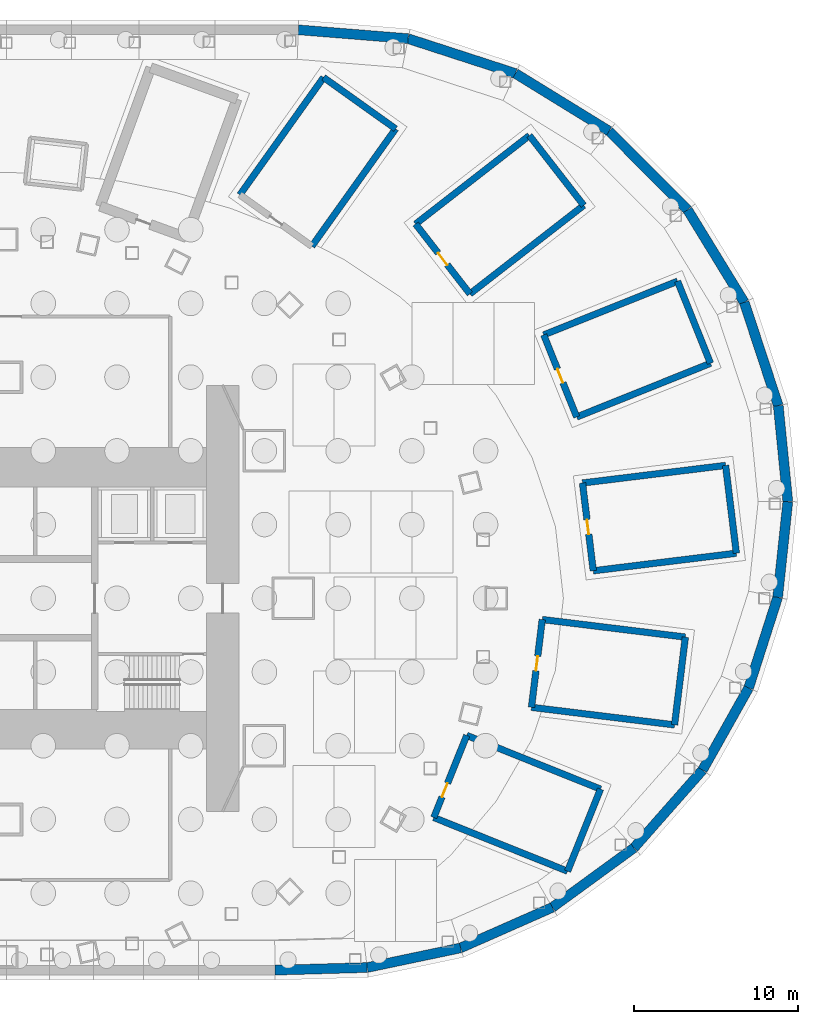
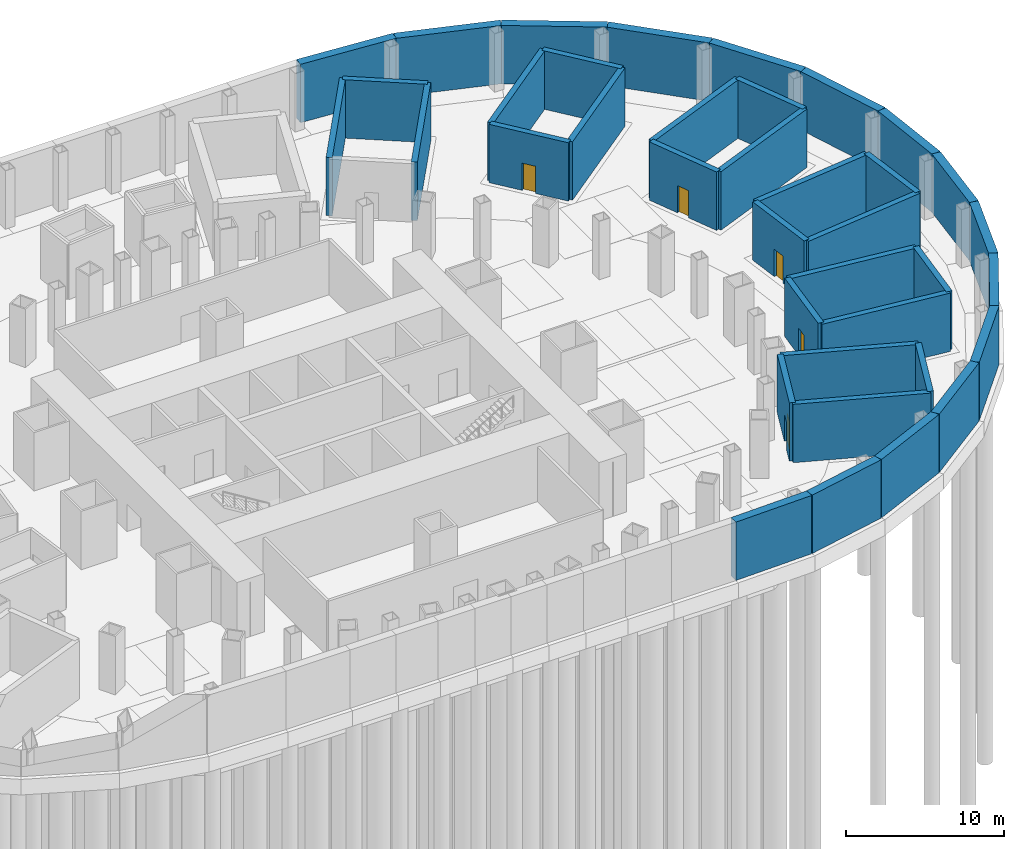
# One storey, part 7 of 11: 38 walls, 5 doors, 5 openings.
"""IFC4 building model written with IfcOpenShell, lengths in metres."""

from ifc_helpers import new_model, si_unit, direction, frame, frame_2d, origin, place, context, subcontext, project, spatial, rectangle, extrude, material, layer, layer_set, type_object, element, fill, save


model = new_model("IFC4")

# Units and contexts
model_context = context("Model", 3, precision=1e-05, world=origin(), true_north=direction((0.0, 1.0)))
body_context = subcontext(model_context, "Body", "Model", "MODEL_VIEW")
ifc_project = project(units=[si_unit("LENGTHUNIT", "METRE"), si_unit("AREAUNIT", "SQUARE_METRE"), si_unit("VOLUMEUNIT", "CUBIC_METRE"), si_unit("PLANEANGLEUNIT", "RADIAN"), si_unit("MASSUNIT", "GRAM", prefix="KILO")], contexts=[model_context])

# Site, building, storey
site_placement = place(None, origin())
site = spatial("IfcSite", under=ifc_project, at=site_placement, CompositionType="ELEMENT")
building_placement = place(site_placement, origin())
building = spatial("IfcBuilding", under=site, at=building_placement, Name="Lantaw Convention Tower", CompositionType="ELEMENT")
storey_placement = place(building_placement, frame((0.0, 0.0, -10.0)))
storey = spatial("IfcBuildingStorey", under=building, at=storey_placement, Name="B2", CompositionType="ELEMENT", Elevation=-10.0)

# Walls
ifc_material_1 = material(Name="Concrete C40/50", Category="concrete")
ifc_layer_1 = layer(ifc_material_1, 0.60009765625)
ifc_layer_set_1 = layer_set([ifc_layer_1], Name="Basement wall 600")
wall_type_1 = type_object("IfcWallType", Name="Basement wall 600", PredefinedType="SOLIDWALL", material=ifc_layer_set_1)
wall_1_placement = place(storey_placement, frame((47.077392578125, 0.062255859375, 0.0), z_axis=(0.0, 0.0, 1.0), x_axis=(0.105848228596, 0.994382296958, 0.0)))
element("IfcWall", 1, at=wall_1_placement, inside=storey, type_object=wall_type_1, Name="Basement retaining wall 1", PredefinedType="SOLIDWALL", context=body_context, shape_type="SweptSolid", body=[
    extrude(rectangle(XDim=5.865478515625, YDim=0.60009765625, at=frame_2d((2.9326171875, 0.0))), origin(), (0.0, 0.0, 1.0), 4.5),
])
wall_2_placement = place(storey_placement, frame((47.6982421875, 5.894775390625, 0.0), z_axis=(0.0, 0.0, 1.0), x_axis=(-0.099068856923, 0.99508058045, 0.0)))
element("IfcWall", 2, at=wall_2_placement, inside=storey, type_object=wall_type_1, Name="Basement retaining wall 2", PredefinedType="SOLIDWALL", context=body_context, shape_type="SweptSolid", body=[
    extrude(rectangle(XDim=5.892333984375, YDim=0.60009765625, at=frame_2d((2.9462890625, 0.0))), origin(), (0.0, 0.0, 1.0), 4.5),
])
wall_3_placement = place(storey_placement, frame((47.114501953125, 11.758056640625, 0.0), z_axis=(0.0, 0.0, 1.0), x_axis=(-0.312606584294, 0.949882689313, 0.0)))
element("IfcWall", 3, at=wall_3_placement, inside=storey, type_object=wall_type_1, Name="Basement retaining wall 3", PredefinedType="SOLIDWALL", context=body_context, shape_type="SweptSolid", body=[
    extrude(rectangle(XDim=6.638427734375, YDim=0.60009765625, at=frame_2d((3.3193359375, 0.0))), origin(), (0.0, 0.0, 1.0), 4.5),
])
wall_4_placement = place(storey_placement, frame((45.039306640625, 18.063720703125, 0.0), z_axis=(0.0, 0.0, 1.0), x_axis=(-0.522223921517, 0.852808405092, 0.0)))
element("IfcWall", 4, at=wall_4_placement, inside=storey, type_object=wall_type_1, Name="Basement retaining wall 4", PredefinedType="SOLIDWALL", context=body_context, shape_type="SweptSolid", body=[
    extrude(rectangle(XDim=6.620849609375, YDim=0.60009765625, at=frame_2d((3.310546875, 0.0))), origin(), (0.0, 0.0, 1.0), 4.5),
])
wall_5_placement = place(storey_placement, frame((41.581787109375, 23.7099609375, 0.0), z_axis=(0.0, 0.0, 1.0), x_axis=(-0.705901268363, 0.708310242283, 0.0)))
element("IfcWall", 5, at=wall_5_placement, inside=storey, type_object=wall_type_1, Name="Basement retaining wall 5", PredefinedType="SOLIDWALL", context=body_context, shape_type="SweptSolid", body=[
    extrude(rectangle(XDim=6.790283203125, YDim=0.60009765625, at=frame_2d((3.39501953125, 0.0))), origin(), (0.0, 0.0, 1.0), 4.5),
])
wall_6_placement = place(storey_placement, frame((36.78857421875, 28.51953125, 0.0), z_axis=(0.0, 0.0, 1.0), x_axis=(-0.851796965753, 0.523872054165, 0.0)))
element("IfcWall", 6, at=wall_6_placement, inside=storey, type_object=wall_type_1, Name="Basement retaining wall 6", PredefinedType="SOLIDWALL", context=body_context, shape_type="SweptSolid", body=[
    extrude(rectangle(XDim=6.70947265625, YDim=0.60009765625, at=frame_2d((3.354736328125, 0.0))), origin(), (0.0, 0.0, 1.0), 4.5),
])
wall_7_placement = place(storey_placement, frame((31.073486328125, 32.034423828125, 0.0), z_axis=(0.0, 0.0, 1.0), x_axis=(-0.951130883604, 0.308788021554, 0.0)))
element("IfcWall", 7, at=wall_7_placement, inside=storey, type_object=wall_type_1, Name="Basement retaining wall 7", PredefinedType="SOLIDWALL", context=body_context, shape_type="SweptSolid", body=[
    extrude(rectangle(XDim=6.890380859375, YDim=0.60009765625, at=frame_2d((3.4453125, 0.0))), origin(), (0.0, 0.0, 1.0), 4.5),
])
wall_8_placement = place(storey_placement, frame((24.519775390625, 34.162109375, 0.0), z_axis=(0.0, 0.0, 1.0), x_axis=(-0.996792017292, 0.080035456285, 0.0)))
element("IfcWall", 8, at=wall_8_placement, inside=storey, type_object=wall_type_1, Name="Basement retaining wall 8", PredefinedType="SOLIDWALL", context=body_context, shape_type="SweptSolid", body=[
    extrude(rectangle(XDim=6.719970703125, YDim=0.60009765625, at=frame_2d((3.35986328125, 0.0))), origin(), (0.0, 0.0, 1.0), 4.5),
])
wall_9_placement = place(storey_placement, frame((16.4013671875, -22.699951171875, 0.0), z_axis=(0.0, 0.0, 1.0), x_axis=(0.999592688558, 0.028538692699, 0.0)))
element("IfcWall", 9, at=wall_9_placement, inside=storey, type_object=wall_type_1, Name="Basement retaining wall 42", PredefinedType="SOLIDWALL", context=body_context, shape_type="SweptSolid", body=[
    extrude(rectangle(XDim=5.620361328125, YDim=0.60009765625, at=frame_2d((2.81005859375, 0.0))), origin(), (0.0, 0.0, 1.0), 4.5),
])
wall_10_placement = place(storey_placement, frame((22.01953125, -22.53955078125, 0.0), z_axis=(0.0, 0.0, 1.0), x_axis=(0.978621781645, 0.205668199998, 0.0)))
element("IfcWall", 10, at=wall_10_placement, inside=storey, type_object=wall_type_1, Name="Basement retaining wall 43", PredefinedType="SOLIDWALL", context=body_context, shape_type="SweptSolid", body=[
    extrude(rectangle(XDim=5.82373046875, YDim=0.60009765625, at=frame_2d((2.911865234375, 0.0))), origin(), (0.0, 0.0, 1.0), 4.5),
])
wall_11_placement = place(storey_placement, frame((27.71875, -21.341796875, 0.0), z_axis=(0.0, 0.0, 1.0), x_axis=(0.914848548113, 0.403797144636, 0.0)))
element("IfcWall", 11, at=wall_11_placement, inside=storey, type_object=wall_type_1, Name="Basement retaining wall 44", PredefinedType="SOLIDWALL", context=body_context, shape_type="SweptSolid", body=[
    extrude(rectangle(XDim=6.127685546875, YDim=0.60009765625, at=frame_2d((3.06396484375, 0.0))), origin(), (0.0, 0.0, 1.0), 4.5),
])
wall_12_placement = place(storey_placement, frame((33.32470703125, -18.867431640625, 0.0), z_axis=(0.0, 0.0, 1.0), x_axis=(0.807914805436, 0.589299301847, 0.0)))
element("IfcWall", 12, at=wall_12_placement, inside=storey, type_object=wall_type_1, Name="Basement retaining wall 45", PredefinedType="SOLIDWALL", context=body_context, shape_type="SweptSolid", body=[
    extrude(rectangle(XDim=6.163330078125, YDim=0.60009765625, at=frame_2d((3.08154296875, 0.0))), origin(), (0.0, 0.0, 1.0), 4.5),
])
wall_13_placement = place(storey_placement, frame((38.30419921875, -15.2353515625, 0.0), z_axis=(0.0, 0.0, 1.0), x_axis=(0.661181871868, 0.750225654262, 0.0)))
element("IfcWall", 13, at=wall_13_placement, inside=storey, type_object=wall_type_1, Name="Basement retaining wall 46", PredefinedType="SOLIDWALL", context=body_context, shape_type="SweptSolid", body=[
    extrude(rectangle(XDim=6.33642578125, YDim=0.60009765625, at=frame_2d((3.168212890625, 0.0))), origin(), (0.0, 0.0, 1.0), 4.5),
])
wall_14_placement = place(storey_placement, frame((42.49365234375, -10.481689453125, 0.0), z_axis=(0.0, 0.0, 1.0), x_axis=(0.489552343526, 0.871973911851, 0.0)))
element("IfcWall", 14, at=wall_14_placement, inside=storey, type_object=wall_type_1, Name="Basement retaining wall 47", PredefinedType="SOLIDWALL", context=body_context, shape_type="SweptSolid", body=[
    extrude(rectangle(XDim=5.740478515625, YDim=0.60009765625, at=frame_2d((2.8701171875, 0.0))), origin(), (0.0, 0.0, 1.0), 4.5),
])
wall_15_placement = place(storey_placement, frame((45.303955078125, -5.47607421875, 0.0), z_axis=(0.0, 0.0, 1.0), x_axis=(0.304958517607, 0.9523656349, 0.0)))
element("IfcWall", 15, at=wall_15_placement, inside=storey, type_object=wall_type_1, Name="Basement retaining wall 48", PredefinedType="SOLIDWALL", context=body_context, shape_type="SweptSolid", body=[
    extrude(rectangle(XDim=5.8154296875, YDim=0.60009765625, at=frame_2d((2.90771484375, 0.0))), origin(), (0.0, 0.0, 1.0), 4.5),
])
ifc_material_2 = material(Name="Concrete C40/50, stair core", Category="concrete")
ifc_layer_2 = layer(ifc_material_2, 0.39990234375)
ifc_layer_set_2 = layer_set([ifc_layer_2], Name="Stair core wall 400 EI 120")
wall_type_2 = type_object("IfcWallType", Name="Stair core wall 400 EI 120", PredefinedType="SHEAR", material=ifc_layer_set_2)
wall_16_placement = place(storey_placement, frame((35.82275390625, 1.67822265625, 0.0), z_axis=(0.0, 0.0, 1.0), x_axis=(0.992545280606, 0.121876437212, 0.0)))
element("IfcWall", 16, at=wall_16_placement, inside=storey, type_object=wall_type_2, Name="Stair core wall 400", PredefinedType="SHEAR", context=body_context, shape_type="SweptSolid", body=[
    extrude(rectangle(XDim=8.800048828125, YDim=0.39990234375, at=frame_2d((4.39990234375, 0.0))), origin(), (0.0, 0.0, 1.0), 4.5),
])
wall_17_placement = place(storey_placement, frame((44.55712890625, 2.750732421875, 0.0), z_axis=(0.0, 0.0, 1.0), x_axis=(-0.12184754212, 0.99254882826, 0.0)))
element("IfcWall", 17, at=wall_17_placement, inside=storey, type_object=wall_type_2, Name="Stair core wall 400", PredefinedType="SHEAR", context=body_context, shape_type="SweptSolid", body=[
    extrude(rectangle(XDim=5.39990234375, YDim=0.39990234375, at=frame_2d((2.699951171875, 0.0))), origin(), (0.0, 0.0, 1.0), 4.5),
])
wall_18_placement = place(storey_placement, frame((43.899169921875, 8.1103515625, 0.0), z_axis=(0.0, 0.0, 1.0), x_axis=(-0.992545280606, -0.121876437212, 0.0)))
element("IfcWall", 18, at=wall_18_placement, inside=storey, type_object=wall_type_2, Name="Stair core wall 400", PredefinedType="SHEAR", context=body_context, shape_type="SweptSolid", body=[
    extrude(rectangle(XDim=8.800048828125, YDim=0.39990234375, at=frame_2d((4.39990234375, 0.0))), origin(), (0.0, 0.0, 1.0), 4.5),
])

# Wall, opening, door
wall_19_placement = place(storey_placement, frame((35.164794921875, 7.037841796875, 0.0), z_axis=(0.0, 0.0, 1.0), x_axis=(0.12184754212, -0.99254882826, 0.0)))
wall_19 = element("IfcWall", 19, at=wall_19_placement, inside=storey, type_object=wall_type_2, Name="Stair core wall 400", PredefinedType="SHEAR", context=body_context, shape_type="SweptSolid", body=[
    extrude(rectangle(XDim=5.39990234375, YDim=0.39990234375, at=frame_2d((2.699951171875, 0.0))), origin(), (0.0, 0.0, 1.0), 4.5),
])
opening_1_placement = place(wall_19_placement, frame((2.25, 0.0, 0.0)))
opening_1 = element("IfcOpeningElement", 20, at=opening_1_placement, cuts=wall_19, Name="Opening B2.13", PredefinedType="OPENING", context=body_context, shape_type="SweptSolid", body=[
    extrude(rectangle(XDim=0.89990234375, YDim=2.10009765625, at=frame_2d((0.449951171875, 1.050048828125))), frame((0.0, 0.2099609375, 0.0), z_axis=(0.0, -1.0, 0.0), x_axis=(1.0, 0.0, 0.0)), (0.0, 0.0, 1.0), 0.419921875),
])
ifc_material_3 = material(Name="Steel, fire rated", Category="steel")
door_type = type_object("IfcDoorType", Name="Store door 900 FD60", OperationType="SINGLE_SWING_LEFT", PredefinedType="DOOR", material=ifc_material_3)
door_1_placement = place(opening_1_placement, origin())
door_1 = element("IfcDoor", 21, at=door_1_placement, inside=storey, type_object=door_type, Name="Store door", OperationType="SINGLE_SWING_LEFT", OverallHeight=2.10009765625, OverallWidth=0.89990234375, PredefinedType="DOOR", context=body_context, shape_type="SweptSolid", body=[
    extrude(rectangle(XDim=0.89990234375, YDim=2.10009765625, at=frame_2d((0.449951171875, 1.050048828125))), frame((0.0, 0.02490234375, 0.0), z_axis=(0.0, -1.0, 0.0), x_axis=(1.0, 0.0, 0.0)), (0.0, 0.0, 1.0), 0.050048828125),
])
fill(opening_1, door_1)

# Walls
wall_20_placement = place(storey_placement, frame((34.811767578125, 11.0654296875, 0.0), z_axis=(0.0, 0.0, 1.0), x_axis=(0.92801678004, 0.372538395288, 0.0)))
element("IfcWall", 22, at=wall_20_placement, inside=storey, type_object=wall_type_2, Name="Stair core wall 400", PredefinedType="SHEAR", context=body_context, shape_type="SweptSolid", body=[
    extrude(rectangle(XDim=8.800048828125, YDim=0.39990234375, at=frame_2d((4.39990234375, 0.0))), origin(), (0.0, 0.0, 1.0), 4.5),
])
wall_21_placement = place(storey_placement, frame((42.978271484375, 14.34375, 0.0), z_axis=(0.0, 0.0, 1.0), x_axis=(-0.372544066459, 0.928014503414, 0.0)))
element("IfcWall", 23, at=wall_21_placement, inside=storey, type_object=wall_type_2, Name="Stair core wall 400", PredefinedType="SHEAR", context=body_context, shape_type="SweptSolid", body=[
    extrude(rectangle(XDim=5.39990234375, YDim=0.39990234375, at=frame_2d((2.699951171875, 0.0))), origin(), (0.0, 0.0, 1.0), 4.5),
])
wall_22_placement = place(storey_placement, frame((40.966552734375, 19.35498046875, 0.0), z_axis=(0.0, 0.0, 1.0), x_axis=(-0.92801678004, -0.372538395288, 0.0)))
element("IfcWall", 24, at=wall_22_placement, inside=storey, type_object=wall_type_2, Name="Stair core wall 400", PredefinedType="SHEAR", context=body_context, shape_type="SweptSolid", body=[
    extrude(rectangle(XDim=8.800048828125, YDim=0.39990234375, at=frame_2d((4.39990234375, 0.0))), origin(), (0.0, 0.0, 1.0), 4.5),
])

# Wall, opening, door
wall_23_placement = place(storey_placement, frame((32.800048828125, 16.07666015625, 0.0), z_axis=(0.0, 0.0, 1.0), x_axis=(0.372544066459, -0.928014503414, 0.0)))
wall_23 = element("IfcWall", 25, at=wall_23_placement, inside=storey, type_object=wall_type_2, Name="Stair core wall 400", PredefinedType="SHEAR", context=body_context, shape_type="SweptSolid", body=[
    extrude(rectangle(XDim=5.39990234375, YDim=0.39990234375, at=frame_2d((2.699951171875, 0.0))), origin(), (0.0, 0.0, 1.0), 4.5),
])
opening_2_placement = place(wall_23_placement, frame((2.25, 0.0, 0.0)))
opening_2 = element("IfcOpeningElement", 26, at=opening_2_placement, cuts=wall_23, Name="Opening B2.14", PredefinedType="OPENING", context=body_context, shape_type="SweptSolid", body=[
    extrude(rectangle(XDim=0.89990234375, YDim=2.10009765625, at=frame_2d((0.449951171875, 1.050048828125))), frame((0.0, 0.2099609375, 0.0), z_axis=(0.0, -1.0, 0.0), x_axis=(1.0, 0.0, 0.0)), (0.0, 0.0, 1.0), 0.419921875),
])
door_2_placement = place(opening_2_placement, origin())
door_2 = element("IfcDoor", 27, at=door_2_placement, inside=storey, type_object=door_type, Name="Store door", OperationType="SINGLE_SWING_LEFT", OverallHeight=2.10009765625, OverallWidth=0.89990234375, PredefinedType="DOOR", context=body_context, shape_type="SweptSolid", body=[
    extrude(rectangle(XDim=0.89990234375, YDim=2.10009765625, at=frame_2d((0.449951171875, 1.050048828125))), frame((0.0, 0.02490234375, 0.0), z_axis=(0.0, -1.0, 0.0), x_axis=(1.0, 0.0, 0.0)), (0.0, 0.0, 1.0), 0.050048828125),
])
fill(opening_2, door_2)

# Walls
wall_24_placement = place(storey_placement, frame((28.292724609375, 18.5830078125, 0.0), z_axis=(0.0, 0.0, 1.0), x_axis=(0.78938060008, 0.613904119726, 0.0)))
element("IfcWall", 28, at=wall_24_placement, inside=storey, type_object=wall_type_2, Name="Stair core wall 400", PredefinedType="SHEAR", context=body_context, shape_type="SweptSolid", body=[
    extrude(rectangle(XDim=8.800048828125, YDim=0.39990234375, at=frame_2d((4.39990234375, 0.0))), origin(), (0.0, 0.0, 1.0), 4.5),
])
wall_25_placement = place(storey_placement, frame((35.2392578125, 23.9853515625, 0.0), z_axis=(0.0, 0.0, 1.0), x_axis=(-0.613912443548, 0.789374126544, 0.0)))
element("IfcWall", 29, at=wall_25_placement, inside=storey, type_object=wall_type_2, Name="Stair core wall 400", PredefinedType="SHEAR", context=body_context, shape_type="SweptSolid", body=[
    extrude(rectangle(XDim=5.400146484375, YDim=0.39990234375, at=frame_2d((2.7001953125, 0.0))), origin(), (0.0, 0.0, 1.0), 4.5),
])
wall_26_placement = place(storey_placement, frame((31.924072265625, 28.248046875, 0.0), z_axis=(0.0, 0.0, 1.0), x_axis=(-0.78938060008, -0.613904119726, 0.0)))
element("IfcWall", 30, at=wall_26_placement, inside=storey, type_object=wall_type_2, Name="Stair core wall 400", PredefinedType="SHEAR", context=body_context, shape_type="SweptSolid", body=[
    extrude(rectangle(XDim=8.800048828125, YDim=0.39990234375, at=frame_2d((4.39990234375, 0.0))), origin(), (0.0, 0.0, 1.0), 4.5),
])

# Wall, opening, door
wall_27_placement = place(storey_placement, frame((24.9775390625, 22.845703125, 0.0), z_axis=(0.0, 0.0, 1.0), x_axis=(0.613912443548, -0.789374126544, 0.0)))
wall_27 = element("IfcWall", 31, at=wall_27_placement, inside=storey, type_object=wall_type_2, Name="Stair core wall 400", PredefinedType="SHEAR", context=body_context, shape_type="SweptSolid", body=[
    extrude(rectangle(XDim=5.400146484375, YDim=0.39990234375, at=frame_2d((2.7001953125, 0.0))), origin(), (0.0, 0.0, 1.0), 4.5),
])
opening_3_placement = place(wall_27_placement, frame((2.25, 0.0, 0.0)))
opening_3 = element("IfcOpeningElement", 32, at=opening_3_placement, cuts=wall_27, Name="Opening B2.15", PredefinedType="OPENING", context=body_context, shape_type="SweptSolid", body=[
    extrude(rectangle(XDim=0.89990234375, YDim=2.10009765625, at=frame_2d((0.449951171875, 1.050048828125))), frame((0.0, 0.2099609375, 0.0), z_axis=(0.0, -1.0, 0.0), x_axis=(1.0, 0.0, 0.0)), (0.0, 0.0, 1.0), 0.419921875),
])
door_3_placement = place(opening_3_placement, origin())
door_3 = element("IfcDoor", 33, at=door_3_placement, inside=storey, type_object=door_type, Name="Store door", OperationType="SINGLE_SWING_LEFT", OverallHeight=2.10009765625, OverallWidth=0.89990234375, PredefinedType="DOOR", context=body_context, shape_type="SweptSolid", body=[
    extrude(rectangle(XDim=0.89990234375, YDim=2.10009765625, at=frame_2d((0.449951171875, 1.050048828125))), frame((0.0, 0.02490234375, 0.0), z_axis=(0.0, -1.0, 0.0), x_axis=(1.0, 0.0, 0.0)), (0.0, 0.0, 1.0), 0.050048828125),
])
fill(opening_3, door_3)

# Walls
wall_28_placement = place(storey_placement, frame((18.647216796875, 21.492919921875, 0.0), z_axis=(0.0, 0.0, 1.0), x_axis=(0.580705313356, 0.814113836659, 0.0)))
element("IfcWall", 34, at=wall_28_placement, inside=storey, type_object=wall_type_2, Name="Stair core wall 400", PredefinedType="SHEAR", context=body_context, shape_type="SweptSolid", body=[
    extrude(rectangle(XDim=8.7998046875, YDim=0.39990234375, at=frame_2d((4.39990234375, 0.0))), origin(), (0.0, 0.0, 1.0), 4.5),
])
wall_29_placement = place(storey_placement, frame((23.75732421875, 28.656982421875, 0.0), z_axis=(0.0, 0.0, 1.0), x_axis=(-0.814121252423, 0.580694916762, 0.0)))
element("IfcWall", 35, at=wall_29_placement, inside=storey, type_object=wall_type_2, Name="Stair core wall 400", PredefinedType="SHEAR", context=body_context, shape_type="SweptSolid", body=[
    extrude(rectangle(XDim=5.39990234375, YDim=0.39990234375, at=frame_2d((2.699951171875, 0.0))), origin(), (0.0, 0.0, 1.0), 4.5),
])
wall_30_placement = place(storey_placement, frame((19.361083984375, 31.792724609375, 0.0), z_axis=(0.0, 0.0, 1.0), x_axis=(-0.580705313356, -0.814113836659, 0.0)))
element("IfcWall", 36, at=wall_30_placement, inside=storey, type_object=wall_type_2, Name="Stair core wall 400", PredefinedType="SHEAR", context=body_context, shape_type="SweptSolid", body=[
    extrude(rectangle(XDim=8.7998046875, YDim=0.39990234375, at=frame_2d((4.39990234375, 0.0))), origin(), (0.0, 0.0, 1.0), 4.5),
])
wall_31_placement = place(storey_placement, frame((26.0869140625, -13.3818359375, 0.0), z_axis=(0.0, 0.0, 1.0), x_axis=(0.92801678004, -0.372538395288, 0.0)))
element("IfcWall", 37, at=wall_31_placement, inside=storey, type_object=wall_type_2, Name="Stair core wall 400", PredefinedType="SHEAR", context=body_context, shape_type="SweptSolid", body=[
    extrude(rectangle(XDim=8.800048828125, YDim=0.39990234375, at=frame_2d((4.39990234375, 0.0))), origin(), (0.0, 0.0, 1.0), 4.5),
])
wall_32_placement = place(storey_placement, frame((34.25341796875, -16.66015625, 0.0), z_axis=(0.0, 0.0, 1.0), x_axis=(0.372544066459, 0.928014503414, 0.0)))
element("IfcWall", 38, at=wall_32_placement, inside=storey, type_object=wall_type_2, Name="Stair core wall 400", PredefinedType="SHEAR", context=body_context, shape_type="SweptSolid", body=[
    extrude(rectangle(XDim=5.39990234375, YDim=0.39990234375, at=frame_2d((2.699951171875, 0.0))), origin(), (0.0, 0.0, 1.0), 4.5),
])
wall_33_placement = place(storey_placement, frame((36.26513671875, -11.64892578125, 0.0), z_axis=(0.0, 0.0, 1.0), x_axis=(-0.928007188331, 0.372562287955, 0.0)))
element("IfcWall", 39, at=wall_33_placement, inside=storey, type_object=wall_type_2, Name="Stair core wall 400", PredefinedType="SHEAR", context=body_context, shape_type="SweptSolid", body=[
    extrude(rectangle(XDim=8.800048828125, YDim=0.39990234375, at=frame_2d((4.39990234375, 0.0))), origin(), (0.0, 0.0, 1.0), 4.5),
])

# Wall, opening, door
wall_34_placement = place(storey_placement, frame((28.0986328125, -8.370361328125, 0.0), z_axis=(0.0, 0.0, 1.0), x_axis=(-0.372528436202, -0.928020777904, 0.0)))
wall_34 = element("IfcWall", 40, at=wall_34_placement, inside=storey, type_object=wall_type_2, Name="Stair core wall 400", PredefinedType="SHEAR", context=body_context, shape_type="SweptSolid", body=[
    extrude(rectangle(XDim=5.400146484375, YDim=0.39990234375, at=frame_2d((2.7001953125, 0.0))), origin(), (0.0, 0.0, 1.0), 4.5),
])
opening_4_placement = place(wall_34_placement, frame((3.14990234375, 0.0, 0.0)))
opening_4 = element("IfcOpeningElement", 41, at=opening_4_placement, cuts=wall_34, Name="Opening B2.24", PredefinedType="OPENING", context=body_context, shape_type="SweptSolid", body=[
    extrude(rectangle(XDim=0.89990234375, YDim=2.10009765625, at=frame_2d((0.449951171875, 1.050048828125))), frame((0.0, 0.2099609375, 0.0), z_axis=(0.0, -1.0, 0.0), x_axis=(1.0, 0.0, 0.0)), (0.0, 0.0, 1.0), 0.419921875),
])
door_4_placement = place(opening_4_placement, origin())
door_4 = element("IfcDoor", 42, at=door_4_placement, inside=storey, type_object=door_type, Name="Store door", OperationType="SINGLE_SWING_LEFT", OverallHeight=2.10009765625, OverallWidth=0.89990234375, PredefinedType="DOOR", context=body_context, shape_type="SweptSolid", body=[
    extrude(rectangle(XDim=0.89990234375, YDim=2.10009765625, at=frame_2d((0.449951171875, 1.050048828125))), frame((0.0, 0.02490234375, 0.0), z_axis=(0.0, -1.0, 0.0), x_axis=(1.0, 0.0, 0.0)), (0.0, 0.0, 1.0), 0.050048828125),
])
fill(opening_4, door_4)

# Walls
wall_35_placement = place(storey_placement, frame((32.050537109375, -6.655517578125, 0.0), z_axis=(0.0, 0.0, 1.0), x_axis=(0.992545280606, -0.121876437212, 0.0)))
element("IfcWall", 43, at=wall_35_placement, inside=storey, type_object=wall_type_2, Name="Stair core wall 400", PredefinedType="SHEAR", context=body_context, shape_type="SweptSolid", body=[
    extrude(rectangle(XDim=8.800048828125, YDim=0.39990234375, at=frame_2d((4.39990234375, 0.0))), origin(), (0.0, 0.0, 1.0), 4.5),
])
wall_36_placement = place(storey_placement, frame((40.784912109375, -7.72802734375, 0.0), z_axis=(0.0, 0.0, 1.0), x_axis=(0.121892082937, 0.992543359314, 0.0)))
element("IfcWall", 44, at=wall_36_placement, inside=storey, type_object=wall_type_2, Name="Stair core wall 400", PredefinedType="SHEAR", context=body_context, shape_type="SweptSolid", body=[
    extrude(rectangle(XDim=5.39990234375, YDim=0.39990234375, at=frame_2d((2.699951171875, 0.0))), origin(), (0.0, 0.0, 1.0), 4.5),
])
wall_37_placement = place(storey_placement, frame((41.443115234375, -2.368408203125, 0.0), z_axis=(0.0, 0.0, 1.0), x_axis=(-0.992545692684, 0.121873081252, 0.0)))
element("IfcWall", 45, at=wall_37_placement, inside=storey, type_object=wall_type_2, Name="Stair core wall 400", PredefinedType="SHEAR", context=body_context, shape_type="SweptSolid", body=[
    extrude(rectangle(XDim=8.80029296875, YDim=0.39990234375, at=frame_2d((4.400146484375, 0.0))), origin(), (0.0, 0.0, 1.0), 4.5),
])

# Wall, opening, door
wall_38_placement = place(storey_placement, frame((32.70849609375, -1.2958984375, 0.0), z_axis=(0.0, 0.0, 1.0), x_axis=(-0.12184754212, -0.99254882826, 0.0)))
wall_38 = element("IfcWall", 46, at=wall_38_placement, inside=storey, type_object=wall_type_2, Name="Stair core wall 400", PredefinedType="SHEAR", context=body_context, shape_type="SweptSolid", body=[
    extrude(rectangle(XDim=5.39990234375, YDim=0.39990234375, at=frame_2d((2.699951171875, 0.0))), origin(), (0.0, 0.0, 1.0), 4.5),
])
opening_5_placement = place(wall_38_placement, frame((2.25, 0.0, 0.0)))
opening_5 = element("IfcOpeningElement", 47, at=opening_5_placement, cuts=wall_38, Name="Opening B2.25", PredefinedType="OPENING", context=body_context, shape_type="SweptSolid", body=[
    extrude(rectangle(XDim=0.89990234375, YDim=2.10009765625, at=frame_2d((0.449951171875, 1.050048828125))), frame((0.0, 0.2099609375, 0.0), z_axis=(0.0, -1.0, 0.0), x_axis=(1.0, 0.0, 0.0)), (0.0, 0.0, 1.0), 0.419921875),
])
door_5_placement = place(opening_5_placement, origin())
door_5 = element("IfcDoor", 48, at=door_5_placement, inside=storey, type_object=door_type, Name="Store door", OperationType="SINGLE_SWING_LEFT", OverallHeight=2.10009765625, OverallWidth=0.89990234375, PredefinedType="DOOR", context=body_context, shape_type="SweptSolid", body=[
    extrude(rectangle(XDim=0.89990234375, YDim=2.10009765625, at=frame_2d((0.449951171875, 1.050048828125))), frame((0.0, 0.02490234375, 0.0), z_axis=(0.0, -1.0, 0.0), x_axis=(1.0, 0.0, 0.0)), (0.0, 0.0, 1.0), 0.050048828125),
])
fill(opening_5, door_5)

save(model, "model.ifc")
